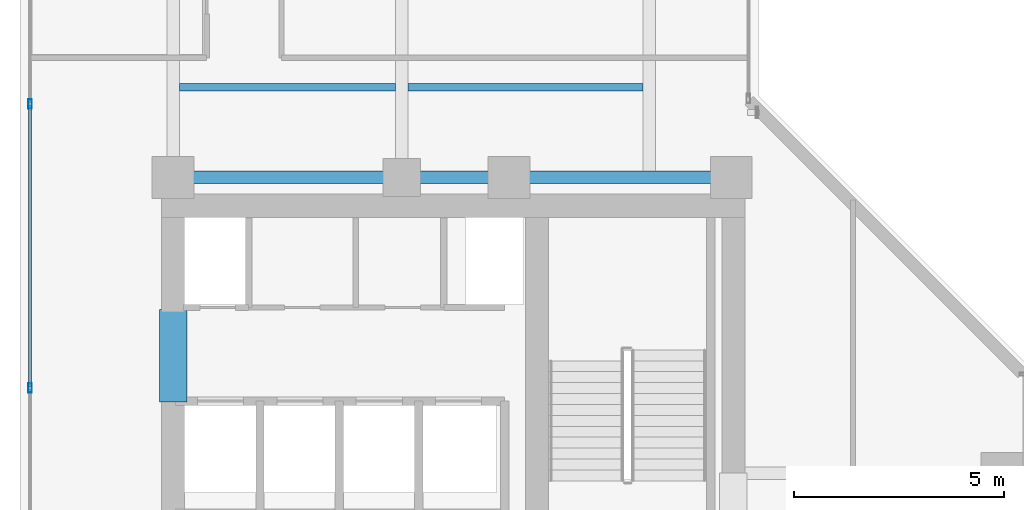
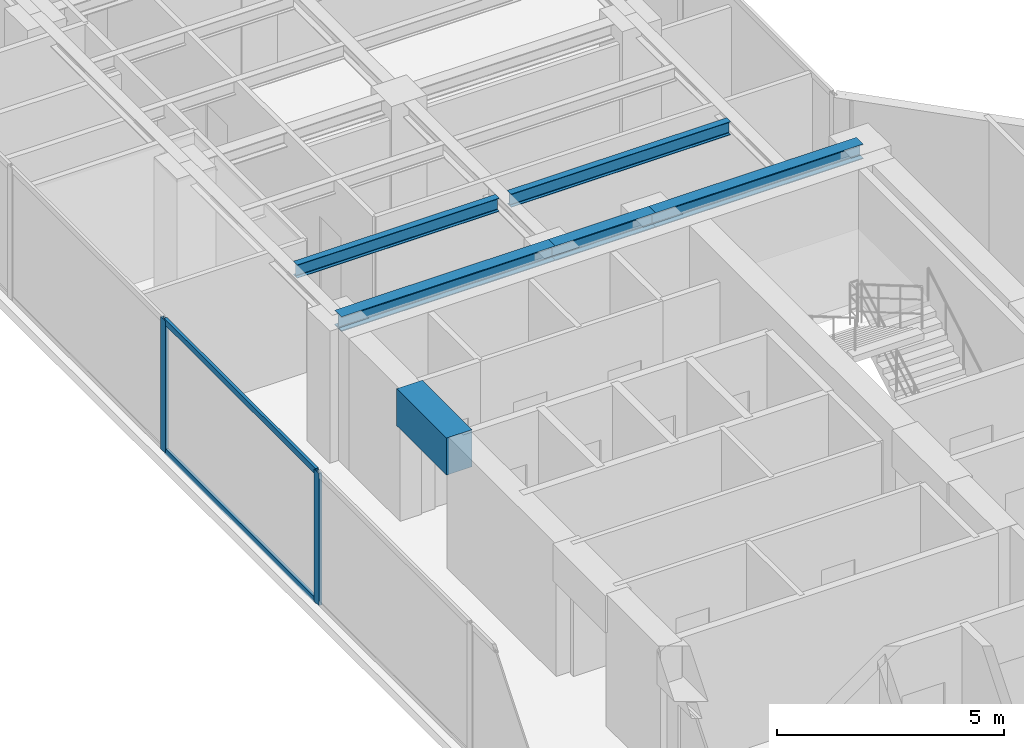
# One storey, part 7 of 24: 6 beams, 4 members, 1 element without a shape of its own.
"""IFC4 building model written with IfcOpenShell, lengths in metres."""

from ifc_helpers import new_model, si_unit, direction, frame, origin, origin_with_axes, origin_2d, place, context, subcontext, project, spatial, rectangle, hollow_rectangle, i_section, extrude, source, transform, mapped, material, layer, layer_set, material_profile, profile_set, type_object, element, aggregate, save


model = new_model("IFC4")

# Units and contexts
model_context = context("Model", 3, precision=1e-05, world=origin(), true_north=direction((0.0, 1.0)))
body_context = subcontext(model_context, "Body", "Model", "MODEL_VIEW")
ifc_project = project(units=[si_unit("LENGTHUNIT", "METRE"), si_unit("AREAUNIT", "SQUARE_METRE"), si_unit("VOLUMEUNIT", "CUBIC_METRE"), si_unit("PLANEANGLEUNIT", "RADIAN"), si_unit("MASSUNIT", "GRAM", prefix="KILO")], contexts=[model_context])

# Site, building, storey
site_placement = place(None, origin())
site = spatial("IfcSite", under=ifc_project, at=site_placement, CompositionType="ELEMENT")
building_placement = place(site_placement, origin())
building = spatial("IfcBuilding", under=site, at=building_placement, Name="Kolvaren Waterfront Exchange", CompositionType="ELEMENT")
storey_placement = place(building_placement, frame((0.0, 0.0, 238.699951171875)))
storey = spatial("IfcBuildingStorey", under=building, at=storey_placement, Name="L61", CompositionType="ELEMENT", Elevation=238.699951171875)

# Beams
ifc_material_1 = material(Name="Steel S355", Category="steel")
ifc_material_profile_1 = material_profile(ifc_material_1, i_section(OverallWidth=0.300048828125, OverallDepth=0.39990234375, WebThickness=0.013427734375, FlangeThickness=0.02392578125, FilletRadius=0.027099609375, at=origin_2d()), Name="HEB400")
ifc_profile_set_1 = profile_set([ifc_material_profile_1], Name="Steel S355")
beam_type_1 = type_object("IfcBeamType", Name="STR-BM-HEB400", PredefinedType="BEAM", material=ifc_profile_set_1)
beam_1_placement = place(storey_placement, frame((7.449951171875, 24.449951171875, 3.360107421875), z_axis=(1.0, 0.0, 0.0), x_axis=(0.0, 1.0, 0.0)))
element("IfcBeam", 1, at=beam_1_placement, inside=storey, type_object=beam_type_1, Name="L61 north-arm girder 1A", PredefinedType="BEAM", context=body_context, shape_type="SweptSolid", body=[
    extrude(i_section(OverallWidth=0.300048828125, OverallDepth=0.39990234375, WebThickness=0.013427734375, FlangeThickness=0.02392578125, FilletRadius=0.027099609375, at=origin_2d()), origin(), (0.0, 0.0, 1.0), 5.449951171875),
])
beam_2_placement = place(storey_placement, frame((12.89990234375, 24.449951171875, 3.360107421875), z_axis=(1.0, 0.0, 0.0), x_axis=(0.0, 1.0, 0.0)))
element("IfcBeam", 2, at=beam_2_placement, inside=storey, type_object=beam_type_1, Name="L61 north-arm girder 1B", PredefinedType="BEAM", context=body_context, shape_type="SweptSolid", body=[
    extrude(i_section(OverallWidth=0.300048828125, OverallDepth=0.39990234375, WebThickness=0.013427734375, FlangeThickness=0.02392578125, FilletRadius=0.027099609375, at=origin_2d()), origin(), (0.0, 0.0, 1.0), 2.550048828125),
])
beam_3_placement = place(storey_placement, frame((15.449951171875, 24.449951171875, 3.360107421875), z_axis=(1.0, 0.0, 0.0), x_axis=(0.0, 1.0, 0.0)))
element("IfcBeam", 3, at=beam_3_placement, inside=storey, type_object=beam_type_1, Name="L61 north-arm girder 1C", PredefinedType="BEAM", context=body_context, shape_type="SweptSolid", body=[
    extrude(i_section(OverallWidth=0.300048828125, OverallDepth=0.39990234375, WebThickness=0.013427734375, FlangeThickness=0.02392578125, FilletRadius=0.027099609375, at=origin_2d()), origin(), (0.0, 0.0, 1.0), 5.300048828125),
])
ifc_material_profile_2 = material_profile(ifc_material_1, i_section(OverallWidth=0.169921875, OverallDepth=0.360107421875, WebThickness=0.008056640625, FlangeThickness=0.0126953125, FilletRadius=0.01806640625, at=origin_2d()), Name="IPE360")
ifc_profile_set_2 = profile_set([ifc_material_profile_2], Name="Steel S355")
beam_type_2 = type_object("IfcBeamType", Name="STR-BM-IPE360", PredefinedType="JOIST", material=ifc_profile_set_2)
beam_4_placement = place(storey_placement, frame((7.60205078125, 26.60009765625, 3.380126953125), z_axis=(1.0, 0.0, 0.0), x_axis=(0.0, 1.0, 0.0)))
element("IfcBeam", 4, at=beam_4_placement, inside=storey, type_object=beam_type_2, Name="L61 north-arm composite joist 1A", PredefinedType="JOIST", context=body_context, shape_type="SweptSolid", body=[
    extrude(i_section(OverallWidth=0.169921875, OverallDepth=0.360107421875, WebThickness=0.008056640625, FlangeThickness=0.0126953125, FilletRadius=0.01806640625, at=origin_2d()), origin(), (0.0, 0.0, 1.0), 5.14599609375),
])
beam_5_placement = place(storey_placement, frame((13.052001953125, 26.60009765625, 3.380126953125), z_axis=(1.0, 0.0, 0.0), x_axis=(0.0, 1.0, 0.0)))
element("IfcBeam", 5, at=beam_5_placement, inside=storey, type_object=beam_type_2, Name="L61 north-arm composite joist 1B", PredefinedType="JOIST", context=body_context, shape_type="SweptSolid", body=[
    extrude(i_section(OverallWidth=0.169921875, OverallDepth=0.360107421875, WebThickness=0.008056640625, FlangeThickness=0.0126953125, FilletRadius=0.01806640625, at=origin_2d()), origin(), (0.0, 0.0, 1.0), 5.595947265625),
])
ifc_material_2 = material(Name="Concrete C60/75", Category="concrete")
ifc_material_profile_3 = material_profile(ifc_material_2, rectangle(XDim=0.64990234375, YDim=1.0, at=origin_2d()), Name="RC-CB-1000x650")
ifc_profile_set_3 = profile_set([ifc_material_profile_3], Name="Concrete C60/75")
beam_type_3 = type_object("IfcBeamType", Name="STR-CB-1000", PredefinedType="SPANDREL", material=ifc_profile_set_3)
beam_6_placement = place(storey_placement, frame((7.449951171875, 19.10009765625, 3.06005859375), z_axis=(0.0, 1.0, 0.0), x_axis=(-1.0, 0.0, 0.0)))
element("IfcBeam", 6, at=beam_6_placement, inside=storey, type_object=beam_type_3, Name="L61 core coupling beam 5", PredefinedType="SPANDREL", context=body_context, shape_type="SweptSolid", body=[
    extrude(rectangle(XDim=0.64990234375, YDim=1.0, at=origin_2d()), origin(), (0.0, 0.0, 1.0), 2.199951171875),
])

# Curtain wall, members
ifc_material_3 = material(Name="Anodised aluminium 6063-T6", Category="aluminium")
ifc_layer = layer(ifc_material_3, 0.219970703125, Name="Anodised aluminium 6063-T6")
ifc_layer_set = layer_set([ifc_layer], Name="Anodised aluminium 6063-T6")
curtain_wall_type = type_object("IfcCurtainWallType", Name="ARC-CW-SYS2", PredefinedType="USERDEFINED", material=ifc_layer_set)
curtain_wall_placement = place(storey_placement, origin())
curtain_wall = element("IfcCurtainWall", 7, at=curtain_wall_placement, inside=storey, type_object=curtain_wall_type, Name="L61 stick curtain wall CW2 (CW-L61-W)", ObjectType="STICK CURTAIN WALL", PredefinedType="USERDEFINED")
ifc_material_profile_4 = material_profile(ifc_material_3, hollow_rectangle(XDim=0.080078125, YDim=0.219970703125, WallThickness=0.0048828125, at=origin_2d()), Name="ALU-MUL-220x80x5")
ifc_profile_set_4 = profile_set([ifc_material_profile_4], Name="Anodised aluminium 6063-T6")
member_type_1 = type_object("IfcMemberType", Name="ARC-CWM-220", PredefinedType="MULLION", material=ifc_profile_set_4)
shared_shape_1 = source(origin_with_axes(), body_context, "Body", "SweptSolid", [
    extrude(hollow_rectangle(XDim=0.080078125, YDim=0.219970703125, WallThickness=0.0048828125, at=origin_2d()), origin(), (0.0, 0.0, 1.0), 3.56005859375),
])
member_1_placement = place(storey_placement, frame((4.0400390625, 19.433349609375, 0.0), z_axis=(0.0, 0.0, 1.0), x_axis=(-1.0, 0.0, 0.0)))
member_1 = element("IfcMember", 8, at=member_1_placement, type_object=member_type_1, Name="CW2 mullion 3", PredefinedType="MULLION", context=body_context, shape_type="MappedRepresentation", body=[
    mapped(shared_shape_1, transform((0.0, 0.0, 0.0), x_axis=(1.0, 0.0, 0.0), y_axis=(0.0, 1.0, 0.0), z_axis=(0.0, 0.0, 1.0), scale=1.0)),
])
member_2_placement = place(storey_placement, frame((4.0400390625, 26.199951171875, 0.0), z_axis=(0.0, 0.0, 1.0), x_axis=(-1.0, 0.0, 0.0)))
member_2 = element("IfcMember", 9, at=member_2_placement, type_object=member_type_1, Name="CW2 mullion 4", PredefinedType="MULLION", context=body_context, shape_type="MappedRepresentation", body=[
    mapped(shared_shape_1, transform((0.0, 0.0, 0.0), x_axis=(1.0, 0.0, 0.0), y_axis=(0.0, 1.0, 0.0), z_axis=(0.0, 0.0, 1.0), scale=1.0)),
])
ifc_material_profile_5 = material_profile(ifc_material_3, hollow_rectangle(XDim=0.074951171875, YDim=0.159912109375, WallThickness=0.00439453125, at=origin_2d()), Name="ALU-TRN-160x75x4.5")
ifc_profile_set_5 = profile_set([ifc_material_profile_5], Name="Anodised aluminium 6063-T6")
member_type_2 = type_object("IfcMemberType", Name="ARC-CWT-160", PredefinedType="USERDEFINED", material=ifc_profile_set_5)
shared_shape_2 = source(origin_with_axes(), body_context, "Body", "SweptSolid", [
    extrude(hollow_rectangle(XDim=0.074951171875, YDim=0.159912109375, WallThickness=0.00439453125, at=origin_2d()), origin(), (0.0, 0.0, 1.0), 6.6865234375),
])
member_3_placement = place(storey_placement, frame((4.0400390625, 19.473388671875, 0.03759765625), z_axis=(0.0, 1.0, 0.0), x_axis=(-1.0, 0.0, 0.0)))
member_3 = element("IfcMember", 10, at=member_3_placement, type_object=member_type_2, Name="CW2 transom 3.1", ObjectType="TRANSOM", PredefinedType="USERDEFINED", context=body_context, shape_type="MappedRepresentation", body=[
    mapped(shared_shape_2, transform((0.0, 0.0, 0.0), x_axis=(1.0, 0.0, 0.0), y_axis=(0.0, 1.0, 0.0), z_axis=(0.0, 0.0, 1.0), scale=1.0)),
])
member_4_placement = place(storey_placement, frame((4.0400390625, 19.473388671875, 3.5224609375), z_axis=(0.0, 1.0, 0.0), x_axis=(-1.0, 0.0, 0.0)))
member_4 = element("IfcMember", 11, at=member_4_placement, type_object=member_type_2, Name="CW2 transom 3.2", ObjectType="TRANSOM", PredefinedType="USERDEFINED", context=body_context, shape_type="MappedRepresentation", body=[
    mapped(shared_shape_2, transform((0.0, 0.0, 0.0), x_axis=(1.0, 0.0, 0.0), y_axis=(0.0, 1.0, 0.0), z_axis=(0.0, 0.0, 1.0), scale=1.0)),
])
aggregate(curtain_wall, [member_1, member_2, member_3, member_4])

save(model, "model.ifc")
